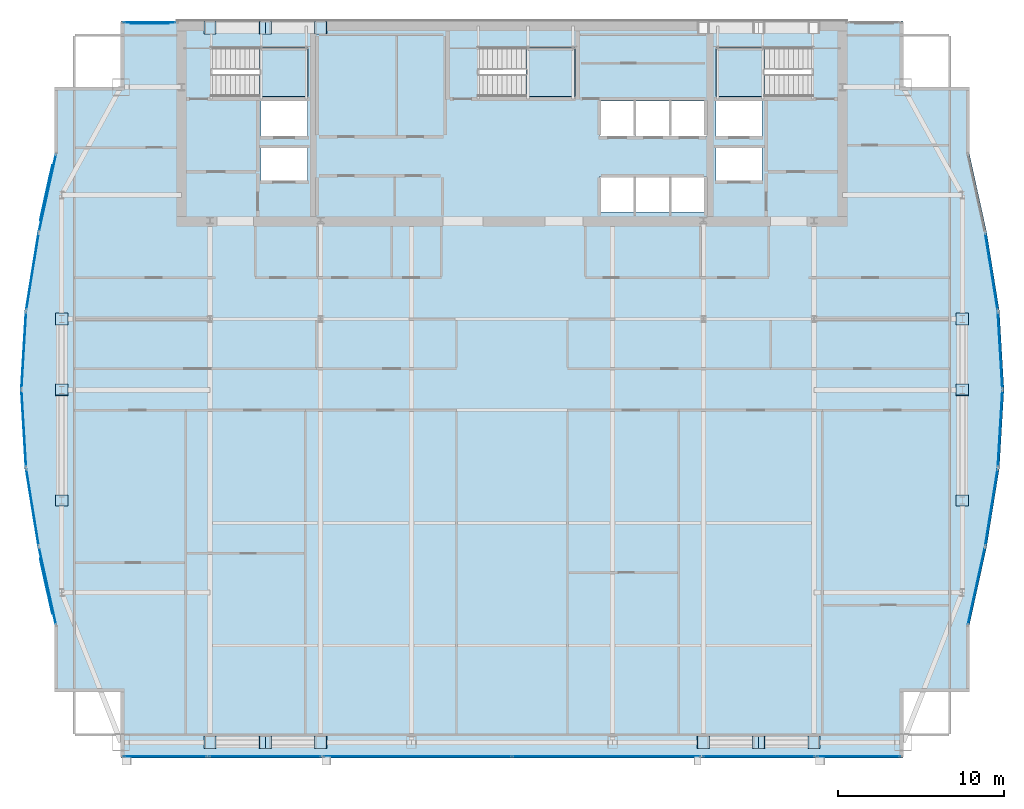
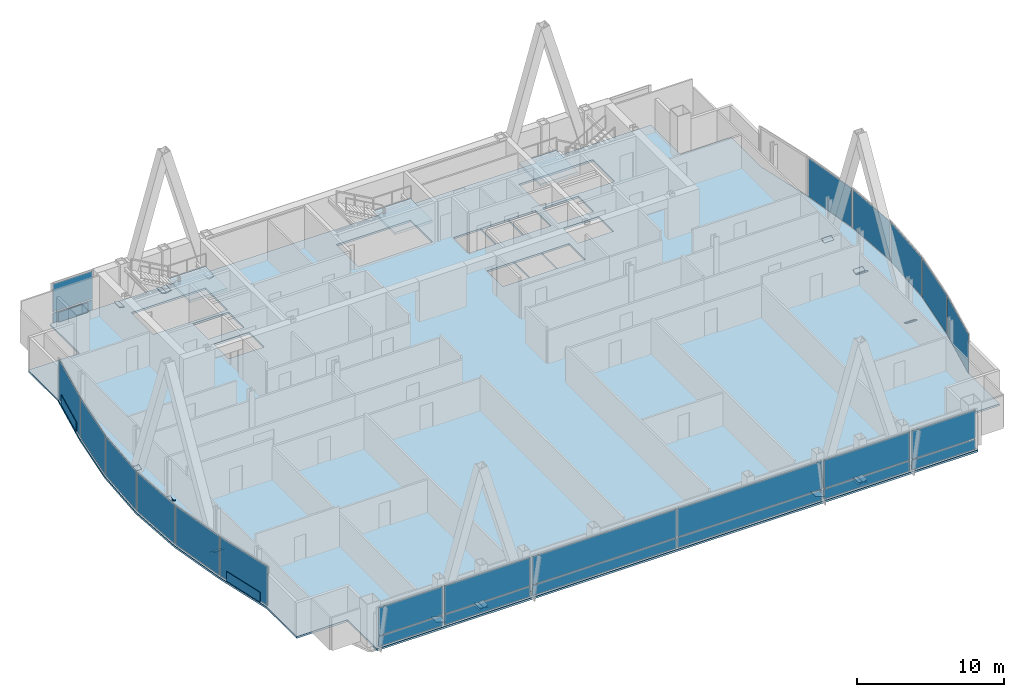
# One storey, part 25 of 31: 48 plates, 4 slabs, 20 elements without a shape of their own.
"""IFC4 building model written with IfcOpenShell, lengths in metres."""

from ifc_helpers import new_model, si_unit, direction, frame, origin, origin_2d, place, context, subcontext, project, spatial, polyline, rectangle, outline, extrude, material, layer, layer_set, type_object, element, aggregate, save


model = new_model("IFC4")

# Units and contexts
model_context = context("Model", 3, precision=1e-05, world=origin(), true_north=direction((0.0, 1.0)))
body_context = subcontext(model_context, "Body", "Model", "MODEL_VIEW")
ifc_project = project(units=[si_unit("LENGTHUNIT", "METRE"), si_unit("AREAUNIT", "SQUARE_METRE"), si_unit("VOLUMEUNIT", "CUBIC_METRE"), si_unit("PLANEANGLEUNIT", "RADIAN"), si_unit("MASSUNIT", "GRAM", prefix="KILO")], contexts=[model_context])

# Site, building, storey
site_placement = place(None, origin())
site = spatial("IfcSite", under=ifc_project, at=site_placement, CompositionType="ELEMENT")
building_placement = place(site_placement, origin())
building = spatial("IfcBuilding", under=site, at=building_placement, Name="Khoronbel Lancet Exchange", CompositionType="ELEMENT")
storey_placement = place(building_placement, frame((0.0, 0.0, 261.800048828125)))
storey = spatial("IfcBuildingStorey", under=building, at=storey_placement, Name="L67", CompositionType="ELEMENT", Elevation=261.800048828125)

# Curtain wall, plate
ifc_material_1 = material(Name="Low-E Solar Control Insulating Glass", Category="glass")
curtain_wall_type_1 = type_object("IfcCurtainWallType", Name="CW-4", PredefinedType="NOTDEFINED", material=ifc_material_1)
curtain_wall_1_placement = place(storey_placement, origin())
curtain_wall_1 = element("IfcCurtainWall", 1, at=curtain_wall_1_placement, inside=storey, type_object=curtain_wall_type_1, Name="Unitised curtain wall CW-L67-E04", PredefinedType="NOTDEFINED")
ifc_material_2 = material(Name="Bronze-Anodised Aluminium 6063-T6", Category="aluminium")
ifc_layer_1 = layer(ifc_material_2, 0.050048828125, Name="Bronze-Anodised Aluminium 6063-T6")
ifc_layer_set_1 = layer_set([ifc_layer_1], Name="Bronze-Anodised Aluminium 6063-T6")
plate_type_1 = type_object("IfcPlateType", Name="PLT-CSP1", PredefinedType="SHEET", material=ifc_layer_set_1)
plate_1_placement = place(storey_placement, frame((8.356689453125, 19.575439453125, 0.0498046875), z_axis=(0.0, 0.0, 1.0), x_axis=(-0.215476152515, 0.976509102721, 0.0)))
plate_1 = element("IfcPlate", 2, at=plate_1_placement, type_object=plate_type_1, Name="Insulated bronze spandrel cassette CW-L67-E04", PredefinedType="SHEET", context=body_context, shape_type="SweptSolid", body=[
    extrude(rectangle(XDim=3.41015625, YDim=0.050048828125, at=origin_2d()), origin(), (0.0, 0.0, 1.0), 0.800048828125),
])

curtain_wall_2_placement = place(storey_placement, origin())
curtain_wall_2 = element("IfcCurtainWall", 3, at=curtain_wall_2_placement, inside=storey, type_object=curtain_wall_type_1, Name="Unitised curtain wall CW-L67-E05", PredefinedType="NOTDEFINED")
plate_2_placement = place(storey_placement, frame((7.50732421875, 24.33837890625, 0.0849609375), z_axis=(0.0, 0.0, 1.0), x_axis=(-0.159455582972, 0.987205103846, 0.0)))
plate_2 = element("IfcPlate", 4, at=plate_2_placement, type_object=plate_type_1, Name="CW4 panel 1.1", PredefinedType="CURTAIN_PANEL", context=body_context, shape_type="SweptSolid", body=[
    extrude(rectangle(XDim=4.654541015625, YDim=0.0380859375, at=origin_2d()), origin(), (0.0, 0.0, 1.0), 3.22998046875),
])
aggregate(curtain_wall_2, [plate_2])

curtain_wall_3_placement = place(storey_placement, origin())
curtain_wall_3 = element("IfcCurtainWall", 5, at=curtain_wall_3_placement, inside=storey, type_object=curtain_wall_type_1, Name="Unitised curtain wall CW-L67-E06", PredefinedType="NOTDEFINED")
plate_3_placement = place(storey_placement, frame((6.984130859375, 29.079833984375, 0.0849609375), z_axis=(0.0, 0.0, 1.0), x_axis=(-0.059009667857, 0.998257411242, 0.0)))
plate_3 = element("IfcPlate", 6, at=plate_3_placement, type_object=plate_type_1, Name="CW4 panel 1.1", PredefinedType="CURTAIN_PANEL", context=body_context, shape_type="SweptSolid", body=[
    extrude(rectangle(XDim=4.598388671875, YDim=0.0380859375, at=origin_2d()), origin(), (0.0, 0.0, 1.0), 3.22998046875),
])
aggregate(curtain_wall_3, [plate_3])

curtain_wall_4_placement = place(storey_placement, origin())
curtain_wall_4 = element("IfcCurtainWall", 7, at=curtain_wall_4_placement, inside=storey, type_object=curtain_wall_type_1, Name="Unitised curtain wall CW-L67-E07", PredefinedType="NOTDEFINED")
plate_4_placement = place(storey_placement, frame((6.984130859375, 33.820068359375, 0.0849609375), z_axis=(0.0, 0.0, 1.0), x_axis=(0.059009667857, 0.998257411242, 0.0)))
plate_4 = element("IfcPlate", 8, at=plate_4_placement, type_object=plate_type_1, Name="CW4 panel 1.1", PredefinedType="CURTAIN_PANEL", context=body_context, shape_type="SweptSolid", body=[
    extrude(rectangle(XDim=4.598388671875, YDim=0.0380859375, at=origin_2d()), origin(), (0.0, 0.0, 1.0), 3.22998046875),
])
aggregate(curtain_wall_4, [plate_4])

curtain_wall_5_placement = place(storey_placement, origin())
curtain_wall_5 = element("IfcCurtainWall", 9, at=curtain_wall_5_placement, inside=storey, type_object=curtain_wall_type_1, Name="Unitised curtain wall CW-L67-E08", PredefinedType="NOTDEFINED")
plate_5_placement = place(storey_placement, frame((7.50732421875, 38.5615234375, 0.0849609375), z_axis=(0.0, 0.0, 1.0), x_axis=(0.159455582972, 0.987205103846, 0.0)))
plate_5 = element("IfcPlate", 10, at=plate_5_placement, type_object=plate_type_1, Name="CW4 panel 1.1", PredefinedType="CURTAIN_PANEL", context=body_context, shape_type="SweptSolid", body=[
    extrude(rectangle(XDim=4.654541015625, YDim=0.0380859375, at=origin_2d()), origin(), (0.0, 0.0, 1.0), 3.22998046875),
])
aggregate(curtain_wall_5, [plate_5])

curtain_wall_6_placement = place(storey_placement, origin())
curtain_wall_6 = element("IfcCurtainWall", 11, at=curtain_wall_6_placement, inside=storey, type_object=curtain_wall_type_1, Name="Unitised curtain wall CW-L67-E09", PredefinedType="NOTDEFINED")
plate_6_placement = place(storey_placement, frame((8.356689453125, 43.32470703125, 0.0498046875), z_axis=(0.0, 0.0, 1.0), x_axis=(0.215476152515, 0.976509102721, 0.0)))
plate_6 = element("IfcPlate", 12, at=plate_6_placement, type_object=plate_type_1, Name="Insulated bronze spandrel cassette CW-L67-E09", PredefinedType="SHEET", context=body_context, shape_type="SweptSolid", body=[
    extrude(rectangle(XDim=3.41015625, YDim=0.050048828125, at=origin_2d()), origin(), (0.0, 0.0, 1.0), 0.800048828125),
])

curtain_wall_type_2 = type_object("IfcCurtainWallType", Name="CW-3", PredefinedType="NOTDEFINED", material=ifc_material_1)
curtain_wall_7_placement = place(storey_placement, origin())
curtain_wall_7 = element("IfcCurtainWall", 13, at=curtain_wall_7_placement, inside=storey, type_object=curtain_wall_type_2, Name="Unitised curtain wall CW-L67-NWFLK", PredefinedType="NOTDEFINED")
plate_7_placement = place(storey_placement, frame((14.580078125, 53.550048828125, 0.0498046875), z_axis=(0.0, 0.0, 1.0), x_axis=(-1.0, 0.0, 0.0)))
plate_7 = element("IfcPlate", 14, at=plate_7_placement, type_object=plate_type_1, Name="Insulated bronze spandrel cassette CW-L67-NWFLK", PredefinedType="SHEET", context=body_context, shape_type="SweptSolid", body=[
    extrude(rectangle(XDim=2.2958984375, YDim=0.050048828125, at=origin_2d()), origin(), (0.0, 0.0, 1.0), 0.800048828125),
])

curtain_wall_8_placement = place(storey_placement, origin())
curtain_wall_8 = element("IfcCurtainWall", 15, at=curtain_wall_8_placement, inside=storey, type_object=curtain_wall_type_1, Name="Unitised curtain wall CW-L67-E18", PredefinedType="NOTDEFINED")
plate_8_placement = place(storey_placement, frame((65.392822265625, 38.5615234375, 0.0849609375), z_axis=(0.0, 0.0, 1.0), x_axis=(0.159455582972, -0.987205103846, 0.0)))
plate_8 = element("IfcPlate", 16, at=plate_8_placement, type_object=plate_type_1, Name="CW4 panel 1.1", PredefinedType="CURTAIN_PANEL", context=body_context, shape_type="SweptSolid", body=[
    extrude(rectangle(XDim=4.654541015625, YDim=0.0380859375, at=origin_2d()), origin(), (0.0, 0.0, 1.0), 3.22998046875),
])
aggregate(curtain_wall_8, [plate_8])

curtain_wall_9_placement = place(storey_placement, origin())
curtain_wall_9 = element("IfcCurtainWall", 17, at=curtain_wall_9_placement, inside=storey, type_object=curtain_wall_type_1, Name="Unitised curtain wall CW-L67-E19", PredefinedType="NOTDEFINED")
plate_9_placement = place(storey_placement, frame((65.916015625, 33.820068359375, 0.0849609375), z_axis=(0.0, 0.0, 1.0), x_axis=(0.059009667857, -0.998257411242, 0.0)))
plate_9 = element("IfcPlate", 18, at=plate_9_placement, type_object=plate_type_1, Name="CW4 panel 1.1", PredefinedType="CURTAIN_PANEL", context=body_context, shape_type="SweptSolid", body=[
    extrude(rectangle(XDim=4.598388671875, YDim=0.0380859375, at=origin_2d()), origin(), (0.0, 0.0, 1.0), 3.22998046875),
])
aggregate(curtain_wall_9, [plate_9])

curtain_wall_10_placement = place(storey_placement, origin())
curtain_wall_10 = element("IfcCurtainWall", 19, at=curtain_wall_10_placement, inside=storey, type_object=curtain_wall_type_1, Name="Unitised curtain wall CW-L67-E20", PredefinedType="NOTDEFINED")
plate_10_placement = place(storey_placement, frame((65.916015625, 29.079833984375, 0.0849609375), z_axis=(0.0, 0.0, 1.0), x_axis=(-0.059009667857, -0.998257411242, 0.0)))
plate_10 = element("IfcPlate", 20, at=plate_10_placement, type_object=plate_type_1, Name="CW4 panel 1.1", PredefinedType="CURTAIN_PANEL", context=body_context, shape_type="SweptSolid", body=[
    extrude(rectangle(XDim=4.598388671875, YDim=0.0380859375, at=origin_2d()), origin(), (0.0, 0.0, 1.0), 3.22998046875),
])
aggregate(curtain_wall_10, [plate_10])

curtain_wall_11_placement = place(storey_placement, origin())
curtain_wall_11 = element("IfcCurtainWall", 21, at=curtain_wall_11_placement, inside=storey, type_object=curtain_wall_type_1, Name="Unitised curtain wall CW-L67-E21", PredefinedType="NOTDEFINED")
plate_11_placement = place(storey_placement, frame((65.392822265625, 24.33837890625, 0.0849609375), z_axis=(0.0, 0.0, 1.0), x_axis=(-0.159455582972, -0.987205103846, 0.0)))
plate_11 = element("IfcPlate", 22, at=plate_11_placement, type_object=plate_type_1, Name="CW4 panel 1.1", PredefinedType="CURTAIN_PANEL", context=body_context, shape_type="SweptSolid", body=[
    extrude(rectangle(XDim=4.654541015625, YDim=0.0380859375, at=origin_2d()), origin(), (0.0, 0.0, 1.0), 3.22998046875),
])
aggregate(curtain_wall_11, [plate_11])

# Curtain wall, plates
curtain_wall_12_placement = place(storey_placement, origin())
curtain_wall_12 = element("IfcCurtainWall", 23, at=curtain_wall_12_placement, inside=storey, type_object=curtain_wall_type_2, Name="Unitised curtain wall CW-L67-SWB", PredefinedType="NOTDEFINED")
plate_12_placement = place(storey_placement, frame((21.550048828125, 9.2900390625, 0.0849609375), z_axis=(0.0, 0.0, 1.0), x_axis=(1.0, 0.0, 0.0)))
plate_12 = element("IfcPlate", 24, at=plate_12_placement, type_object=plate_type_1, Name="CW3 panel 1.1", PredefinedType="CURTAIN_PANEL", context=body_context, shape_type="SweptSolid", body=[
    extrude(rectangle(XDim=6.72998046875, YDim=0.0380859375, at=origin_2d()), origin(), (0.0, 0.0, 1.0), 0.822509765625),
])
plate_13_placement = place(storey_placement, frame((21.550048828125, 9.2900390625, 0.99267578125), z_axis=(0.0, 0.0, 1.0), x_axis=(1.0, 0.0, 0.0)))
plate_13 = element("IfcPlate", 25, at=plate_13_placement, type_object=plate_type_1, Name="CW3 panel 1.2", PredefinedType="CURTAIN_PANEL", context=body_context, shape_type="SweptSolid", body=[
    extrude(rectangle(XDim=6.72998046875, YDim=0.0380859375, at=origin_2d()), origin(), (0.0, 0.0, 1.0), 2.322509765625),
])
aggregate(curtain_wall_12, [plate_12, plate_13])

curtain_wall_13_placement = place(storey_placement, origin())
curtain_wall_13 = element("IfcCurtainWall", 26, at=curtain_wall_13_placement, inside=storey, type_object=curtain_wall_type_2, Name="Unitised curtain wall CW-L67-SEB", PredefinedType="NOTDEFINED")
plate_14_placement = place(storey_placement, frame((51.35009765625, 9.2900390625, 0.0849609375), z_axis=(0.0, 0.0, 1.0), x_axis=(1.0, 0.0, 0.0)))
plate_14 = element("IfcPlate", 27, at=plate_14_placement, type_object=plate_type_1, Name="CW3 panel 1.1", PredefinedType="CURTAIN_PANEL", context=body_context, shape_type="SweptSolid", body=[
    extrude(rectangle(XDim=6.72998046875, YDim=0.0380859375, at=origin_2d()), origin(), (0.0, 0.0, 1.0), 0.822509765625),
])
plate_15_placement = place(storey_placement, frame((51.35009765625, 9.2900390625, 0.99267578125), z_axis=(0.0, 0.0, 1.0), x_axis=(1.0, 0.0, 0.0)))
plate_15 = element("IfcPlate", 28, at=plate_15_placement, type_object=plate_type_1, Name="CW3 panel 1.2", PredefinedType="CURTAIN_PANEL", context=body_context, shape_type="SweptSolid", body=[
    extrude(rectangle(XDim=6.72998046875, YDim=0.0380859375, at=origin_2d()), origin(), (0.0, 0.0, 1.0), 2.322509765625),
])
aggregate(curtain_wall_13, [plate_14, plate_15])

# Plate
ifc_layer_2 = layer(ifc_material_1, 0.035888671875, Name="Low-E Solar Control Insulating Glass")
ifc_layer_set_2 = layer_set([ifc_layer_2], Name="Low-E Solar Control Insulating Glass")
plate_type_2 = type_object("IfcPlateType", Name="PLT-CWP1", PredefinedType="CURTAIN_PANEL", material=ifc_layer_set_2)
plate_16_placement = place(storey_placement, frame((14.580078125, 53.610107421875, 0.0849609375), z_axis=(0.0, 0.0, 1.0), x_axis=(-1.0, 0.0, 0.0)))
plate_16 = element("IfcPlate", 29, at=plate_16_placement, type_object=plate_type_2, Name="CW3 panel 1.1", PredefinedType="CURTAIN_PANEL", context=body_context, shape_type="SweptSolid", body=[
    extrude(rectangle(XDim=3.110107421875, YDim=0.0380859375, at=origin_2d()), origin(), (0.0, 0.0, 1.0), 0.822509765625),
])

plate_17_placement = place(storey_placement, frame((14.580078125, 53.610107421875, 0.99267578125), z_axis=(0.0, 0.0, 1.0), x_axis=(-1.0, 0.0, 0.0)))
plate_17 = element("IfcPlate", 30, at=plate_17_placement, type_object=plate_type_2, Name="CW3 panel 1.2", PredefinedType="CURTAIN_PANEL", context=body_context, shape_type="SweptSolid", body=[
    extrude(rectangle(XDim=3.110107421875, YDim=0.0380859375, at=origin_2d()), origin(), (0.0, 0.0, 1.0), 2.322509765625),
])

aggregate(curtain_wall_7, [plate_16, plate_17, plate_7])

# Curtain wall, plates
curtain_wall_14_placement = place(storey_placement, origin())
curtain_wall_14 = element("IfcCurtainWall", 31, at=curtain_wall_14_placement, inside=storey, type_object=curtain_wall_type_2, Name="Unitised curtain wall CW-L67-SWV", PredefinedType="NOTDEFINED")
plate_18_placement = place(storey_placement, frame((15.52001953125, 9.2900390625, 0.0849609375), z_axis=(0.0, 0.0, 1.0), x_axis=(1.0, 0.0, 0.0)))
plate_18 = element("IfcPlate", 32, at=plate_18_placement, type_object=plate_type_2, Name="CW3 panel 1.1", PredefinedType="CURTAIN_PANEL", context=body_context, shape_type="SweptSolid", body=[
    extrude(rectangle(XDim=4.989990234375, YDim=0.0380859375, at=origin_2d()), origin(), (0.0, 0.0, 1.0), 0.822509765625),
])
plate_19_placement = place(storey_placement, frame((15.52001953125, 9.2900390625, 0.99267578125), z_axis=(0.0, 0.0, 1.0), x_axis=(1.0, 0.0, 0.0)))
plate_19 = element("IfcPlate", 33, at=plate_19_placement, type_object=plate_type_2, Name="CW3 panel 1.2", PredefinedType="CURTAIN_PANEL", context=body_context, shape_type="SweptSolid", body=[
    extrude(rectangle(XDim=4.989990234375, YDim=0.0380859375, at=origin_2d()), origin(), (0.0, 0.0, 1.0), 2.322509765625),
])
aggregate(curtain_wall_14, [plate_18, plate_19])

curtain_wall_15_placement = place(storey_placement, origin())
curtain_wall_15 = element("IfcCurtainWall", 34, at=curtain_wall_15_placement, inside=storey, type_object=curtain_wall_type_2, Name="Unitised curtain wall CW-L67-SCV", PredefinedType="NOTDEFINED")
plate_20_placement = place(storey_placement, frame((30.746337890625, 9.2900390625, 0.0849609375), z_axis=(0.0, 0.0, 1.0), x_axis=(1.0, 0.0, 0.0)))
plate_20 = element("IfcPlate", 35, at=plate_20_placement, type_object=plate_type_2, Name="CW3 panel 1.1", PredefinedType="CURTAIN_PANEL", context=body_context, shape_type="SweptSolid", body=[
    extrude(rectangle(XDim=11.322509765625, YDim=0.0380859375, at=origin_2d()), origin(), (0.0, 0.0, 1.0), 0.822509765625),
])
plate_21_placement = place(storey_placement, frame((30.746337890625, 9.2900390625, 0.99267578125), z_axis=(0.0, 0.0, 1.0), x_axis=(1.0, 0.0, 0.0)))
plate_21 = element("IfcPlate", 36, at=plate_21_placement, type_object=plate_type_2, Name="CW3 panel 1.2", PredefinedType="CURTAIN_PANEL", context=body_context, shape_type="SweptSolid", body=[
    extrude(rectangle(XDim=11.322509765625, YDim=0.0380859375, at=origin_2d()), origin(), (0.0, 0.0, 1.0), 2.322509765625),
])
plate_22_placement = place(storey_placement, frame((42.15380859375, 9.2900390625, 0.0849609375), z_axis=(0.0, 0.0, 1.0), x_axis=(1.0, 0.0, 0.0)))
plate_22 = element("IfcPlate", 37, at=plate_22_placement, type_object=plate_type_2, Name="CW3 panel 2.1", PredefinedType="CURTAIN_PANEL", context=body_context, shape_type="SweptSolid", body=[
    extrude(rectangle(XDim=11.322509765625, YDim=0.0380859375, at=origin_2d()), origin(), (0.0, 0.0, 1.0), 0.822509765625),
])
plate_23_placement = place(storey_placement, frame((42.15380859375, 9.2900390625, 0.99267578125), z_axis=(0.0, 0.0, 1.0), x_axis=(1.0, 0.0, 0.0)))
plate_23 = element("IfcPlate", 38, at=plate_23_placement, type_object=plate_type_2, Name="CW3 panel 2.2", PredefinedType="CURTAIN_PANEL", context=body_context, shape_type="SweptSolid", body=[
    extrude(rectangle(XDim=11.322509765625, YDim=0.0380859375, at=origin_2d()), origin(), (0.0, 0.0, 1.0), 2.322509765625),
])
aggregate(curtain_wall_15, [plate_20, plate_21, plate_22, plate_23])

curtain_wall_16_placement = place(storey_placement, origin())
curtain_wall_16 = element("IfcCurtainWall", 39, at=curtain_wall_16_placement, inside=storey, type_object=curtain_wall_type_2, Name="Unitised curtain wall CW-L67-SEV", PredefinedType="NOTDEFINED")
plate_24_placement = place(storey_placement, frame((57.3798828125, 9.2900390625, 0.0849609375), z_axis=(0.0, 0.0, 1.0), x_axis=(1.0, 0.0, 0.0)))
plate_24 = element("IfcPlate", 40, at=plate_24_placement, type_object=plate_type_2, Name="CW3 panel 1.1", PredefinedType="CURTAIN_PANEL", context=body_context, shape_type="SweptSolid", body=[
    extrude(rectangle(XDim=4.989990234375, YDim=0.0380859375, at=origin_2d()), origin(), (0.0, 0.0, 1.0), 0.822509765625),
])
plate_25_placement = place(storey_placement, frame((57.3798828125, 9.2900390625, 0.99267578125), z_axis=(0.0, 0.0, 1.0), x_axis=(1.0, 0.0, 0.0)))
plate_25 = element("IfcPlate", 41, at=plate_25_placement, type_object=plate_type_2, Name="CW3 panel 1.2", PredefinedType="CURTAIN_PANEL", context=body_context, shape_type="SweptSolid", body=[
    extrude(rectangle(XDim=4.989990234375, YDim=0.0380859375, at=origin_2d()), origin(), (0.0, 0.0, 1.0), 2.322509765625),
])
aggregate(curtain_wall_16, [plate_24, plate_25])

# Plate
ifc_material_3 = material(Name="Ceramic-Fritted Laminated Insulating Glass", Category="glass")
ifc_layer_3 = layer(ifc_material_3, 0.0419921875, Name="Ceramic-Fritted Laminated Insulating Glass")
ifc_layer_set_3 = layer_set([ifc_layer_3], Name="Ceramic-Fritted Laminated Insulating Glass")
plate_type_3 = type_object("IfcPlateType", Name="PLT-CWP2", PredefinedType="CURTAIN_PANEL", material=ifc_layer_set_3)
plate_26_placement = place(storey_placement, frame((8.4150390625, 19.58837890625, 0.0849609375), z_axis=(0.0, 0.0, 1.0), x_axis=(-0.215476152515, 0.976509102721, 0.0)))
plate_26 = element("IfcPlate", 42, at=plate_26_placement, type_object=plate_type_3, Name="CW4 panel 1.1", PredefinedType="CURTAIN_PANEL", context=body_context, shape_type="SweptSolid", body=[
    extrude(rectangle(XDim=4.721435546875, YDim=0.0380859375, at=origin_2d()), origin(), (0.0, 0.0, 1.0), 3.22998046875),
])

aggregate(curtain_wall_1, [plate_26, plate_1])

plate_27_placement = place(storey_placement, frame((8.4150390625, 43.311767578125, 0.0849609375), z_axis=(0.0, 0.0, 1.0), x_axis=(0.215476152515, 0.976509102721, 0.0)))
plate_27 = element("IfcPlate", 43, at=plate_27_placement, type_object=plate_type_3, Name="CW4 panel 1.1", PredefinedType="CURTAIN_PANEL", context=body_context, shape_type="SweptSolid", body=[
    extrude(rectangle(XDim=4.721435546875, YDim=0.0380859375, at=origin_2d()), origin(), (0.0, 0.0, 1.0), 3.22998046875),
])

aggregate(curtain_wall_6, [plate_27, plate_6])

# Curtain wall, plate
curtain_wall_17_placement = place(storey_placement, origin())
curtain_wall_17 = element("IfcCurtainWall", 44, at=curtain_wall_17_placement, inside=storey, type_object=curtain_wall_type_1, Name="Unitised curtain wall CW-L67-E22", PredefinedType="NOTDEFINED")
plate_28_placement = place(storey_placement, frame((64.48486328125, 19.58837890625, 0.0849609375), z_axis=(0.0, 0.0, 1.0), x_axis=(-0.215476152515, -0.976509102721, 0.0)))
plate_28 = element("IfcPlate", 45, at=plate_28_placement, type_object=plate_type_3, Name="CW4 panel 1.1", PredefinedType="CURTAIN_PANEL", context=body_context, shape_type="SweptSolid", body=[
    extrude(rectangle(XDim=4.721435546875, YDim=0.0380859375, at=origin_2d()), origin(), (0.0, 0.0, 1.0), 3.22998046875),
])
aggregate(curtain_wall_17, [plate_28])

# Plates
ifc_material_4 = material(Name="Steel S460", Category="steel")
ifc_layer_4 = layer(ifc_material_4, 0.044921875, Name="Steel S460")
ifc_layer_set_4 = layer_set([ifc_layer_4], Name="Steel S460")
plate_type_4 = type_object("IfcPlateType", Name="PLT-ECP1", PredefinedType="USERDEFINED", material=ifc_layer_set_4)
for number, where, z_axis, x_axis, name in (
    (46, (21.9375, 9.77001953125, -0.070068359375), (0.267925524584, 0.0, 0.963439626171), (0.0, 1.0, 0.0), "Hollow end cap plate PLT-CAP-MEM-MB-T22-S-W-L-1"),
    (47, (21.1875, 10.530029296875, -0.070068359375), (-0.267925524584, 0.0, 0.963439626171), (0.0, -1.0, 0.0), "Hollow end cap plate PLT-CAP-MEM-MB-T22-S-W-R-1"),
    (48, (51.71240234375, 9.77001953125, -0.070068359375), (0.267925524584, 0.0, 0.963439626171), (0.0, 1.0, 0.0), "Hollow end cap plate PLT-CAP-MEM-MB-T22-S-E-L-1"),
    (49, (50.962646484375, 10.530029296875, -0.070068359375), (-0.267925524584, 0.0, 0.963439626171), (0.0, -1.0, 0.0), "Hollow end cap plate PLT-CAP-MEM-MB-T22-S-E-R-1"),
    (50, (21.9375, 52.89990234375, -0.070068359375), (0.267925524584, 0.0, 0.963439626171), (0.0, 1.0, 0.0), "Hollow end cap plate PLT-CAP-MEM-MB-T22-N-W-L-1"),
    (51, (21.1875, 53.659912109375, -0.070068359375), (-0.267925524584, 0.0, 0.963439626171), (0.0, -1.0, 0.0), "Hollow end cap plate PLT-CAP-MEM-MB-T22-N-W-R-1"),
):
    element("IfcPlate", number, at=place(storey_placement, frame(where, z_axis=z_axis, x_axis=x_axis)), inside=storey, type_object=plate_type_4, Name=name, ObjectType="STIFFENER_PLATE", PredefinedType="USERDEFINED", context=body_context, shape_type="SweptSolid", body=[
        extrude(outline(polyline([(0.0, 0.0), (0.760009765625, 0.0), (0.760009765625, 0.760009765625), (0.0, 0.760009765625), (0.0, 0.0)])), origin(), (0.0, 0.0, -1.0), 0.044921875),
    ])
plate_29_placement = place(storey_placement, frame((9.64990234375, 31.773193359375, -0.156005859375), z_axis=(0.0, 0.486215436829, 0.873838972002), x_axis=(-1.0, 0.0, 0.0)))
element("IfcPlate", 52, at=plate_29_placement, inside=storey, type_object=plate_type_4, Name="Hollow end cap plate PLT-CAP-MEM-MB-T22-W-P-L-1", ObjectType="STIFFENER_PLATE", PredefinedType="USERDEFINED", context=body_context, shape_type="SweptSolid", body=[
    extrude(outline(polyline([(0.0, 0.0), (0.760009765625, 0.0), (0.760009765625, 0.76025390625), (0.0, 0.76025390625), (0.0, 0.0)])), origin(), (0.0, 0.0, -1.0), 0.044921875),
])
plate_30_placement = place(storey_placement, frame((8.889892578125, 31.055908203125, -0.096435546875), z_axis=(0.0, -0.335339161529, 0.942097471998), x_axis=(1.0, 0.0, 0.0)))
element("IfcPlate", 53, at=plate_30_placement, inside=storey, type_object=plate_type_4, Name="Hollow end cap plate PLT-CAP-MEM-MB-T22-W-P-R-1", ObjectType="STIFFENER_PLATE", PredefinedType="USERDEFINED", context=body_context, shape_type="SweptSolid", body=[
    extrude(outline(polyline([(0.0, 0.0), (0.760009765625, 0.0), (0.760009765625, 0.760009765625), (0.0, 0.760009765625), (0.0, 0.0)])), origin(), (0.0, 0.0, -1.0), 0.044921875),
])
plate_31_placement = place(storey_placement, frame((64.010009765625, 31.773193359375, -0.156005859375), z_axis=(0.0, 0.486215436829, 0.873838972002), x_axis=(-1.0, 0.0, 0.0)))
element("IfcPlate", 54, at=plate_31_placement, inside=storey, type_object=plate_type_4, Name="Hollow end cap plate PLT-CAP-MEM-MB-T22-E-P-L-1", ObjectType="STIFFENER_PLATE", PredefinedType="USERDEFINED", context=body_context, shape_type="SweptSolid", body=[
    extrude(outline(polyline([(0.0, 0.0), (0.760009765625, 0.0), (0.760009765625, 0.76025390625), (0.0, 0.76025390625), (0.0, 0.0)])), origin(), (0.0, 0.0, -1.0), 0.044921875),
])
for number, where, z_axis, x_axis, name in (
    (55, (63.25, 31.055908203125, -0.096435546875), (0.0, -0.335339161529, 0.942097471998), (1.0, 0.0, 0.0), "Hollow end cap plate PLT-CAP-MEM-MB-T22-E-P-R-1"),
    (56, (18.593505859375, 9.77001953125, -0.093505859375), (0.276248085352, 0.0, 0.961086362061), (0.0, 1.0, 0.0), "Hollow end cap plate PLT-CAP-MEM-MB-T23-S-W-L-0"),
    (57, (24.531494140625, 10.530029296875, -0.093505859375), (-0.276248085352, 0.0, 0.961086362061), (0.0, -1.0, 0.0), "Hollow end cap plate PLT-CAP-MEM-MB-T23-S-W-R-0"),
):
    element("IfcPlate", number, at=place(storey_placement, frame(where, z_axis=z_axis, x_axis=x_axis)), inside=storey, type_object=plate_type_4, Name=name, ObjectType="STIFFENER_PLATE", PredefinedType="USERDEFINED", context=body_context, shape_type="SweptSolid", body=[
        extrude(outline(polyline([(0.0, 0.0), (0.760009765625, 0.0), (0.760009765625, 0.760009765625), (0.0, 0.760009765625), (0.0, 0.0)])), origin(), (0.0, 0.0, -1.0), 0.044921875),
    ])
plate_32_placement = place(storey_placement, frame((48.368408203125, 9.77001953125, -0.093505859375), z_axis=(0.276333393609, 0.0, 0.96106183754), x_axis=(0.0, 1.0, 0.0)))
element("IfcPlate", 58, at=plate_32_placement, inside=storey, type_object=plate_type_4, Name="Hollow end cap plate PLT-CAP-MEM-MB-T23-S-E-L-0", ObjectType="STIFFENER_PLATE", PredefinedType="USERDEFINED", context=body_context, shape_type="SweptSolid", body=[
    extrude(outline(polyline([(0.0, 0.0), (0.760009765625, 0.0), (0.760009765625, 0.759765625), (0.0, 0.759765625), (0.0, 0.0)])), origin(), (0.0, 0.0, -1.0), 0.044921875),
])
for number, where, z_axis, x_axis, name in (
    (59, (54.306396484375, 10.530029296875, -0.093505859375), (-0.276248085352, 0.0, 0.961086362061), (0.0, -1.0, 0.0), "Hollow end cap plate PLT-CAP-MEM-MB-T23-S-E-R-0"),
    (60, (18.593505859375, 52.89990234375, -0.093505859375), (0.276248085352, 0.0, 0.961086362061), (0.0, 1.0, 0.0), "Hollow end cap plate PLT-CAP-MEM-MB-T23-N-W-L-0"),
    (61, (24.531494140625, 53.659912109375, -0.093505859375), (-0.276248085352, 0.0, 0.961086362061), (0.0, -1.0, 0.0), "Hollow end cap plate PLT-CAP-MEM-MB-T23-N-W-R-0"),
):
    element("IfcPlate", number, at=place(storey_placement, frame(where, z_axis=z_axis, x_axis=x_axis)), inside=storey, type_object=plate_type_4, Name=name, ObjectType="STIFFENER_PLATE", PredefinedType="USERDEFINED", context=body_context, shape_type="SweptSolid", body=[
        extrude(outline(polyline([(0.0, 0.0), (0.760009765625, 0.0), (0.760009765625, 0.760009765625), (0.0, 0.760009765625), (0.0, 0.0)])), origin(), (0.0, 0.0, -1.0), 0.044921875),
    ])
plate_33_placement = place(storey_placement, frame((9.64990234375, 25.08544921875, -0.17919921875), z_axis=(0.0, 0.498730548126, 0.866757082674), x_axis=(-1.0, 0.0, 0.0)))
element("IfcPlate", 62, at=plate_33_placement, inside=storey, type_object=plate_type_4, Name="Hollow end cap plate PLT-CAP-MEM-MB-T23-W-P-L-0", ObjectType="STIFFENER_PLATE", PredefinedType="USERDEFINED", context=body_context, shape_type="SweptSolid", body=[
    extrude(outline(polyline([(0.0, 0.0), (0.760009765625, 0.0), (0.760009765625, 0.76025390625), (0.0, 0.76025390625), (0.0, 0.0)])), origin(), (0.0, 0.0, -1.0), 0.044921875),
])
plate_34_placement = place(storey_placement, frame((8.889892578125, 35.33935546875, -0.1201171875), z_axis=(0.0, -0.345660697406, 0.938359569818), x_axis=(1.0, 0.0, 0.0)))
element("IfcPlate", 63, at=plate_34_placement, inside=storey, type_object=plate_type_4, Name="Hollow end cap plate PLT-CAP-MEM-MB-T23-W-P-R-0", ObjectType="STIFFENER_PLATE", PredefinedType="USERDEFINED", context=body_context, shape_type="SweptSolid", body=[
    extrude(outline(polyline([(0.0, 0.0), (0.760009765625, 0.0), (0.760009765625, 0.760009765625), (0.0, 0.760009765625), (0.0, 0.0)])), origin(), (0.0, 0.0, -1.0), 0.044921875),
])
plate_35_placement = place(storey_placement, frame((64.010009765625, 25.08544921875, -0.17919921875), z_axis=(0.0, 0.498730548126, 0.866757082674), x_axis=(-1.0, 0.0, 0.0)))
element("IfcPlate", 64, at=plate_35_placement, inside=storey, type_object=plate_type_4, Name="Hollow end cap plate PLT-CAP-MEM-MB-T23-E-P-L-0", ObjectType="STIFFENER_PLATE", PredefinedType="USERDEFINED", context=body_context, shape_type="SweptSolid", body=[
    extrude(outline(polyline([(0.0, 0.0), (0.760009765625, 0.0), (0.760009765625, 0.76025390625), (0.0, 0.76025390625), (0.0, 0.0)])), origin(), (0.0, 0.0, -1.0), 0.044921875),
])
plate_36_placement = place(storey_placement, frame((63.25, 35.33935546875, -0.1201171875), z_axis=(0.0, -0.345660697406, 0.938359569818), x_axis=(1.0, 0.0, 0.0)))
element("IfcPlate", 65, at=plate_36_placement, inside=storey, type_object=plate_type_4, Name="Hollow end cap plate PLT-CAP-MEM-MB-T23-E-P-R-0", ObjectType="STIFFENER_PLATE", PredefinedType="USERDEFINED", context=body_context, shape_type="SweptSolid", body=[
    extrude(outline(polyline([(0.0, 0.0), (0.760009765625, 0.0), (0.760009765625, 0.760009765625), (0.0, 0.760009765625), (0.0, 0.0)])), origin(), (0.0, 0.0, -1.0), 0.044921875),
])

# Slab
ifc_material_5 = material(Name="Concrete C40/50", Category="concrete")
ifc_layer_5 = layer(ifc_material_5, 0.159912109375, Name="Concrete C40/50")
ifc_layer_set_5 = layer_set([ifc_layer_5], Name="Concrete C40/50")
slab_type_1 = type_object("IfcSlabType", Name="SL-FL160", PredefinedType="FLOOR", material=ifc_layer_set_5)
slab_1_placement = place(storey_placement, frame((0.0, 0.0, -0.16015625)))
element("IfcSlab", 66, at=slab_1_placement, inside=storey, type_object=slab_type_1, Name="Level L67 composite structural floor slab", PredefinedType="FLOOR", context=body_context, shape_type="SweptSolid", body=[
    extrude(outline(polyline([(12.85009765625, 9.199951171875), (60.050048828125, 9.199951171875), (60.050048828125, 13.199951171875), (64.050048828125, 13.199951171875), (64.050048828125, 17.199951171875), (65.09814453125, 21.949951171875), (65.865478515625, 26.699951171875), (66.146240234375, 31.449951171875), (65.865478515625, 36.199951171875), (65.09814453125, 40.949951171875), (64.050048828125, 45.699951171875), (64.050048828125, 49.699951171875), (60.050048828125, 49.699951171875), (60.050048828125, 53.699951171875), (12.85009765625, 53.699951171875), (12.85009765625, 49.699951171875), (8.85009765625, 49.699951171875), (8.85009765625, 45.699951171875), (7.802001953125, 40.949951171875), (7.03466796875, 36.199951171875), (6.75390625, 31.449951171875), (7.03466796875, 26.699951171875), (7.802001953125, 21.949951171875), (8.85009765625, 17.199951171875), (8.85009765625, 13.199951171875), (12.85009765625, 13.199951171875), (12.85009765625, 9.199951171875)]), holes=[polyline([(18.324951171875, 49.1201171875), (24.14990234375, 49.1201171875), (24.14990234375, 52.10009765625), (18.324951171875, 52.10009765625), (18.324951171875, 49.1201171875)]), polyline([(48.75, 49.1201171875), (54.574951171875, 49.1201171875), (54.574951171875, 52.10009765625), (48.75, 52.10009765625), (48.75, 49.1201171875)]), polyline([(34.425048828125, 49.1201171875), (40.25, 49.1201171875), (40.25, 52.10009765625), (34.425048828125, 52.10009765625), (34.425048828125, 49.1201171875)]), polyline([(41.739990234375, 46.75), (43.8798828125, 46.75), (43.8798828125, 48.85009765625), (41.739990234375, 48.85009765625), (41.739990234375, 46.75)]), polyline([(43.89990234375, 46.75), (46.0400390625, 46.75), (46.0400390625, 48.85009765625), (43.89990234375, 48.85009765625), (43.89990234375, 46.75)]), polyline([(46.06005859375, 46.75), (48.199951171875, 46.75), (48.199951171875, 48.85009765625), (46.06005859375, 48.85009765625), (46.06005859375, 46.75)]), polyline([(41.739990234375, 42.14990234375), (43.8798828125, 42.14990234375), (43.8798828125, 44.300048828125), (41.739990234375, 44.300048828125), (41.739990234375, 42.14990234375)]), polyline([(43.89990234375, 42.14990234375), (46.0400390625, 42.14990234375), (46.0400390625, 44.300048828125), (43.89990234375, 44.300048828125), (43.89990234375, 42.14990234375)]), polyline([(46.06005859375, 42.14990234375), (48.199951171875, 42.14990234375), (48.199951171875, 44.300048828125), (46.06005859375, 44.300048828125), (46.06005859375, 42.14990234375)]), polyline([(21.300048828125, 46.75), (24.10009765625, 46.75), (24.10009765625, 48.85009765625), (21.300048828125, 48.85009765625), (21.300048828125, 46.75)]), polyline([(48.75, 46.75), (51.550048828125, 46.75), (51.550048828125, 48.85009765625), (48.75, 48.85009765625), (48.75, 46.75)]), polyline([(21.300048828125, 44.050048828125), (24.10009765625, 44.050048828125), (24.10009765625, 46.050048828125), (21.300048828125, 46.050048828125), (21.300048828125, 44.050048828125)]), polyline([(48.75, 44.050048828125), (51.550048828125, 44.050048828125), (51.550048828125, 46.050048828125), (48.75, 46.050048828125), (48.75, 44.050048828125)])]), origin(), (0.0, 0.0, 1.0), 0.16015625),
])

# Stair, slab
stair_type = type_object("IfcStairType", Name="STR-CORE150", PredefinedType="HALF_TURN_STAIR", material=ifc_material_5)
stair_1_placement = place(storey_placement, origin())
stair_1 = element("IfcStair", 67, at=stair_1_placement, inside=storey, type_object=stair_type, Name="L67 Protected Exit Stair ST1", PredefinedType="HALF_TURN_STAIR")
ifc_layer_6 = layer(ifc_material_5, 0.199951171875, Name="Concrete C40/50")
ifc_layer_set_6 = layer_set([ifc_layer_6], Name="Concrete C40/50")
slab_type_2 = type_object("IfcSlabType", Name="SL-LND180", PredefinedType="LANDING", material=ifc_layer_set_6)
slab_2_placement = place(storey_placement, frame((0.0, 0.0, 1.599853515625)))
slab_2 = element("IfcSlab", 68, at=slab_2_placement, type_object=slab_type_2, Name="ST1 landing 1", PredefinedType="LANDING", context=body_context, shape_type="SweptSolid", body=[
    extrude(outline(polyline([(21.199951171875, 49.1201171875), (24.14990234375, 49.1201171875), (24.14990234375, 52.10009765625), (21.199951171875, 52.10009765625), (21.199951171875, 49.1201171875)])), origin(), (0.0, 0.0, 1.0), 0.2001953125),
])
aggregate(stair_1, [slab_2])

stair_2_placement = place(storey_placement, origin())
stair_2 = element("IfcStair", 69, at=stair_2_placement, inside=storey, type_object=stair_type, Name="L67 Protected Exit Stair ST2", PredefinedType="HALF_TURN_STAIR")
slab_3_placement = place(storey_placement, frame((0.0, 0.0, 1.599853515625)))
slab_3 = element("IfcSlab", 70, at=slab_3_placement, type_object=slab_type_2, Name="ST2 landing 1", PredefinedType="LANDING", context=body_context, shape_type="SweptSolid", body=[
    extrude(outline(polyline([(51.699951171875, 52.10009765625), (48.75, 52.10009765625), (48.75, 49.1201171875), (51.699951171875, 49.1201171875), (51.699951171875, 52.10009765625)])), origin(), (0.0, 0.0, 1.0), 0.2001953125),
])
aggregate(stair_2, [slab_3])

stair_3_placement = place(storey_placement, origin())
stair_3 = element("IfcStair", 71, at=stair_3_placement, inside=storey, type_object=stair_type, Name="L67 Protected Exit Stair ST3", PredefinedType="HALF_TURN_STAIR")
slab_4_placement = place(storey_placement, frame((0.0, 0.0, 1.599853515625)))
slab_4 = element("IfcSlab", 72, at=slab_4_placement, type_object=slab_type_2, Name="ST3 landing 1", PredefinedType="LANDING", context=body_context, shape_type="SweptSolid", body=[
    extrude(outline(polyline([(37.300048828125, 49.1201171875), (40.25, 49.1201171875), (40.25, 52.10009765625), (37.300048828125, 52.10009765625), (37.300048828125, 49.1201171875)])), origin(), (0.0, 0.0, 1.0), 0.2001953125),
])
aggregate(stair_3, [slab_4])

save(model, "model.ifc")
